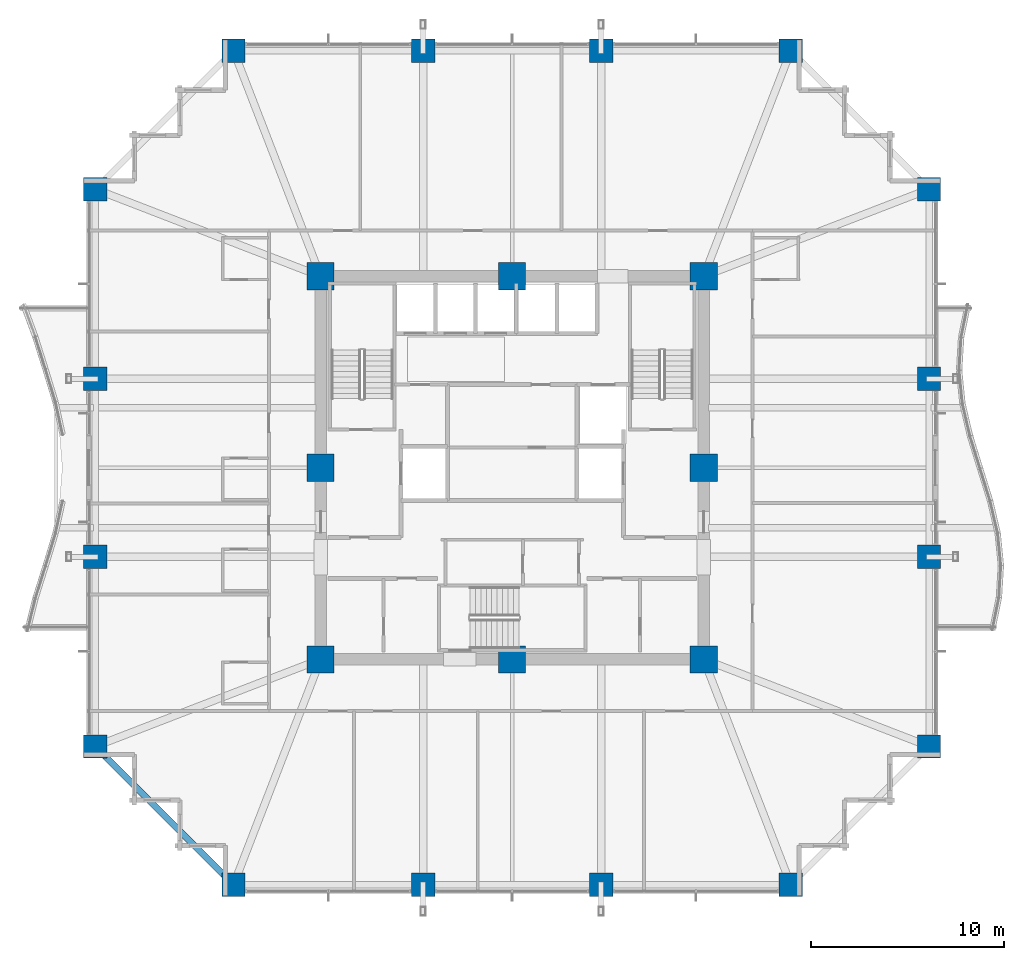
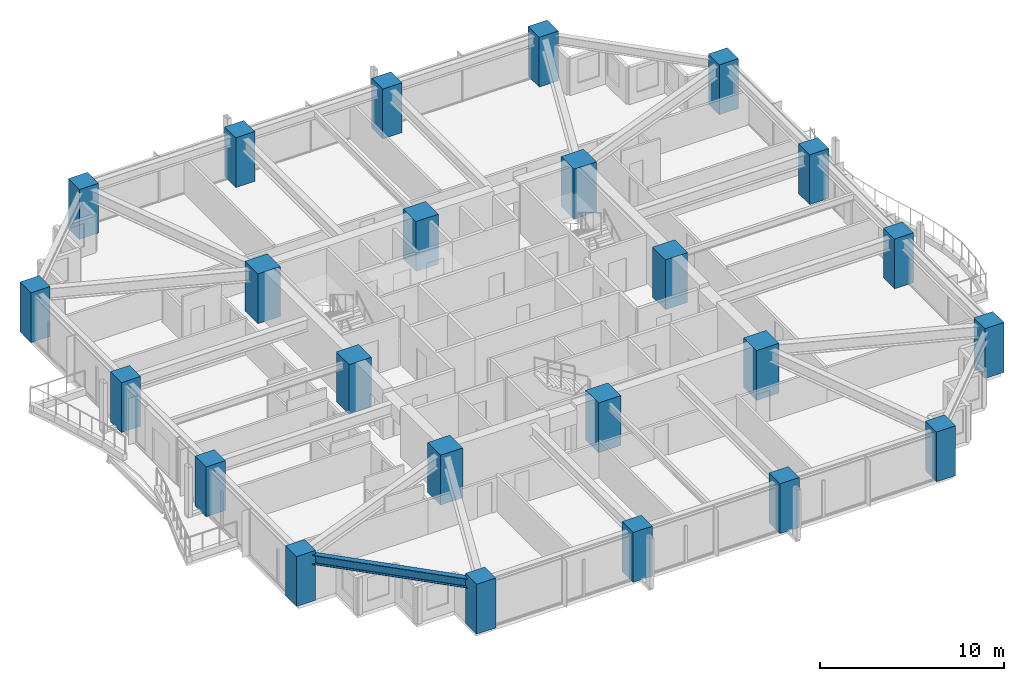
# One storey, part 1 of 36: 24 columns, 1 beam.
"""IFC4 building model written with IfcOpenShell, lengths in metres."""

from ifc_helpers import new_model, si_unit, direction, frame, origin, origin_2d, place, context, subcontext, project, spatial, rectangle, i_section, extrude, material, material_profile, profile_set, type_object, element, save


model = new_model("IFC4")

# Units and contexts
model_context = context("Model", 3, precision=1e-05, world=origin(), true_north=direction((0.0, 1.0)))
body_context = subcontext(model_context, "Body", "Model", "MODEL_VIEW")
ifc_project = project(units=[si_unit("LENGTHUNIT", "METRE"), si_unit("AREAUNIT", "SQUARE_METRE"), si_unit("VOLUMEUNIT", "CUBIC_METRE"), si_unit("PLANEANGLEUNIT", "RADIAN"), si_unit("MASSUNIT", "GRAM", prefix="KILO")], contexts=[model_context])

# Site, building, storey
site_placement = place(None, origin())
site = spatial("IfcSite", under=ifc_project, at=site_placement, CompositionType="ELEMENT")
building_placement = place(site_placement, origin())
building = spatial("IfcBuilding", under=site, at=building_placement, Name="Kolvaren Belvedere", CompositionType="ELEMENT")
storey_placement = place(building_placement, frame((0.0, 0.0, 46.89990234375)))
storey = spatial("IfcBuildingStorey", under=building, at=storey_placement, Name="L13", CompositionType="ELEMENT", Elevation=46.89990234375)

# Columns
ifc_material_1 = material(Name="Concrete C60/75", Category="concrete")
ifc_material_profile_1 = material_profile(ifc_material_1, rectangle(XDim=1.199951171875, YDim=1.199951171875, at=origin_2d()), Name="RC 1200X1200")
ifc_profile_set_1 = profile_set([ifc_material_profile_1], Name="Concrete C60/75")
column_type_1 = type_object("IfcColumnType", Name="COL-RC-1200", PredefinedType="COLUMN", material=ifc_profile_set_1)
for number, where, z_axis, x_axis, name in (
    (1, (-14.39990234375, -21.550048828125, 0.0), (0.0, 0.0, 1.0), (1.0, 0.0, 0.0), "L13 Perimeter Column S1"),
    (2, (-4.60009765625, -21.550048828125, 0.0), (0.0, 0.0, 1.0), (1.0, 0.0, 0.0), "L13 Perimeter Column S2"),
    (3, (4.60009765625, -21.550048828125, 0.0), (0.0, 0.0, 1.0), (1.0, 0.0, 0.0), "L13 Perimeter Column S3"),
    (4, (14.39990234375, -21.550048828125, 0.0), (0.0, 0.0, 1.0), (1.0, 0.0, 0.0), "L13 Perimeter Column S4"),
    (5, (-14.39990234375, 21.550048828125, 0.0), (0.0, 0.0, 1.0), (1.0, 0.0, 0.0), "L13 Perimeter Column N1"),
    (6, (-4.60009765625, 21.550048828125, 0.0), (0.0, 0.0, 1.0), (1.0, 0.0, 0.0), "L13 Perimeter Column N2"),
    (7, (4.60009765625, 21.550048828125, 0.0), (0.0, 0.0, 1.0), (1.0, 0.0, 0.0), "L13 Perimeter Column N3"),
    (8, (14.39990234375, 21.550048828125, 0.0), (0.0, 0.0, 1.0), (1.0, 0.0, 0.0), "L13 Perimeter Column N4"),
    (9, (-21.550048828125, -14.39990234375, 0.0), (0.0, 0.0, 1.0), (1.0, 0.0, 0.0), "L13 Perimeter Column W1"),
    (10, (-21.550048828125, -4.60009765625, 0.0), (0.0, 0.0, 1.0), (1.0, 0.0, 0.0), "L13 Perimeter Column W2"),
    (11, (-21.550048828125, 4.60009765625, 0.0), (0.0, 0.0, 1.0), (1.0, 0.0, 0.0), "L13 Perimeter Column W3"),
    (12, (-21.550048828125, 14.39990234375, 0.0), (0.0, 0.0, 1.0), (1.0, 0.0, 0.0), "L13 Perimeter Column W4"),
    (13, (21.550048828125, -14.39990234375, 0.0), (0.0, 0.0, 1.0), (1.0, 0.0, 0.0), "L13 Perimeter Column E1"),
    (14, (21.550048828125, -4.60009765625, 0.0), (0.0, 0.0, 1.0), (1.0, 0.0, 0.0), "L13 Perimeter Column E2"),
    (15, (21.550048828125, 4.60009765625, 0.0), (0.0, 0.0, 1.0), (1.0, 0.0, 0.0), "L13 Perimeter Column E3"),
    (16, (21.550048828125, 14.39990234375, 0.0), (0.0, 0.0, 1.0), (1.0, 0.0, 0.0), "L13 Perimeter Column E4"),
):
    element("IfcColumn", number, at=place(storey_placement, frame(where, z_axis=z_axis, x_axis=x_axis)), inside=storey, type_object=column_type_1, Name=name, PredefinedType="COLUMN", context=body_context, shape_type="SweptSolid", body=[
        extrude(rectangle(XDim=1.199951171875, YDim=1.199951171875, at=origin_2d()), origin(), (0.0, 0.0, 1.0), 3.300048828125),
    ])
ifc_material_2 = material(Name="Concrete C60/75", Category="concrete")
ifc_material_profile_2 = material_profile(ifc_material_2, rectangle(XDim=1.39990234375, YDim=1.39990234375, at=origin_2d()), Name="RC 1400X1400")
ifc_profile_set_2 = profile_set([ifc_material_profile_2], Name="Concrete C60/75")
column_type_2 = type_object("IfcColumnType", Name="COL-RC-1400", PredefinedType="COLUMN", material=ifc_profile_set_2)
for number, where, z_axis, x_axis, name in (
    (17, (-9.89990234375, -9.89990234375, 0.0), (0.0, 0.0, 1.0), (1.0, 0.0, 0.0), "L13 Core Column CC1"),
    (18, (9.89990234375, -9.89990234375, 0.0), (0.0, 0.0, 1.0), (1.0, 0.0, 0.0), "L13 Core Column CC2"),
    (19, (9.89990234375, 9.89990234375, 0.0), (0.0, 0.0, 1.0), (1.0, 0.0, 0.0), "L13 Core Column CC3"),
    (20, (-9.89990234375, 9.89990234375, 0.0), (0.0, 0.0, 1.0), (1.0, 0.0, 0.0), "L13 Core Column CC4"),
    (21, (0.0, -9.89990234375, 0.0), (0.0, 0.0, 1.0), (1.0, 0.0, 0.0), "L13 Core Column CM1"),
    (22, (9.89990234375, 0.0, 0.0), (0.0, 0.0, 1.0), (1.0, 0.0, 0.0), "L13 Core Column CM2"),
    (23, (0.0, 9.89990234375, 0.0), (0.0, 0.0, 1.0), (1.0, 0.0, 0.0), "L13 Core Column CM3"),
    (24, (-9.89990234375, 0.0, 0.0), (0.0, 0.0, 1.0), (1.0, 0.0, 0.0), "L13 Core Column CM4"),
):
    element("IfcColumn", number, at=place(storey_placement, frame(where, z_axis=z_axis, x_axis=x_axis)), inside=storey, type_object=column_type_2, Name=name, PredefinedType="COLUMN", context=body_context, shape_type="SweptSolid", body=[
        extrude(rectangle(XDim=1.39990234375, YDim=1.39990234375, at=origin_2d()), origin(), (0.0, 0.0, 1.0), 3.300048828125),
    ])

# Beam
ifc_material_3 = material(Name="Structural steel ASTM A992 Grade 50", Category="steel")
ifc_material_profile_3 = material_profile(ifc_material_3, i_section(OverallWidth=0.324951171875, OverallDepth=0.615966796875, WebThickness=0.013916015625, FlangeThickness=0.021484375, FilletRadius=0.02001953125, at=origin_2d()), Name="W24X117")
ifc_profile_set_3 = profile_set([ifc_material_profile_3], Name="Structural steel ASTM A992 Grade 50")
beam_type = type_object("IfcBeamType", Name="BM-SPAN-W24X117", PredefinedType="SPANDREL", material=ifc_profile_set_3)
beam_placement = place(storey_placement, frame((-21.359130859375, -14.5908203125, 2.752197265625), z_axis=(0.707106781187, -0.707106781187, 0.0), x_axis=(0.707106781187, 0.707106781187, 0.0)))
element("IfcBeam", 25, at=beam_placement, inside=storey, type_object=beam_type, Name="L13 Perimeter Spandrel W1-S1", PredefinedType="SPANDREL", context=body_context, shape_type="SweptSolid", body=[
    extrude(i_section(OverallWidth=0.324951171875, OverallDepth=0.615966796875, WebThickness=0.013916015625, FlangeThickness=0.021484375, FilletRadius=0.02001953125, at=origin_2d()), origin(), (0.0, 0.0, 1.0), 9.57177734375),
])

save(model, "model.ifc")
